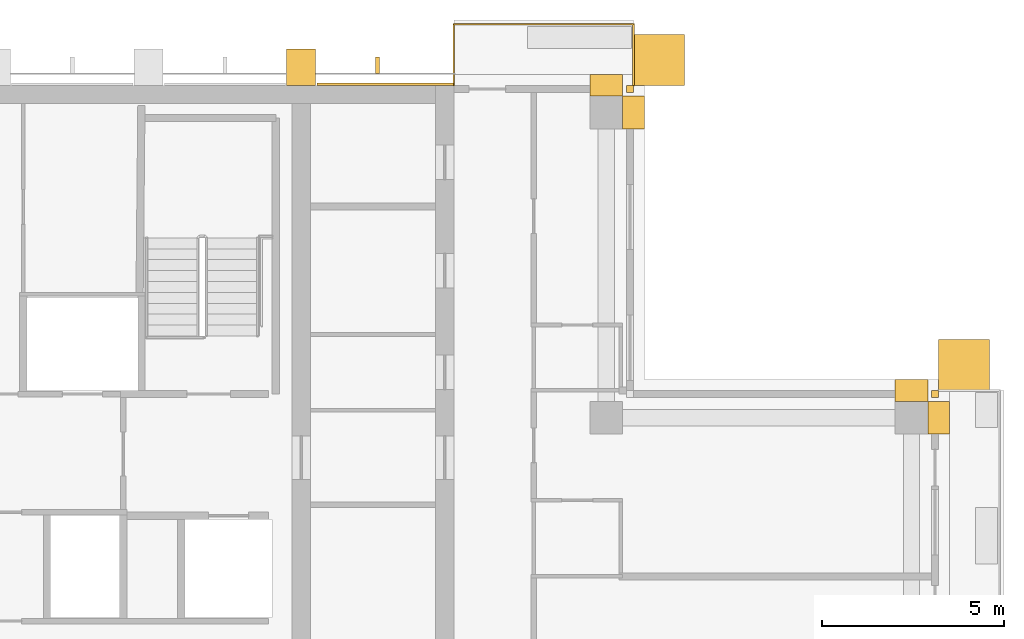
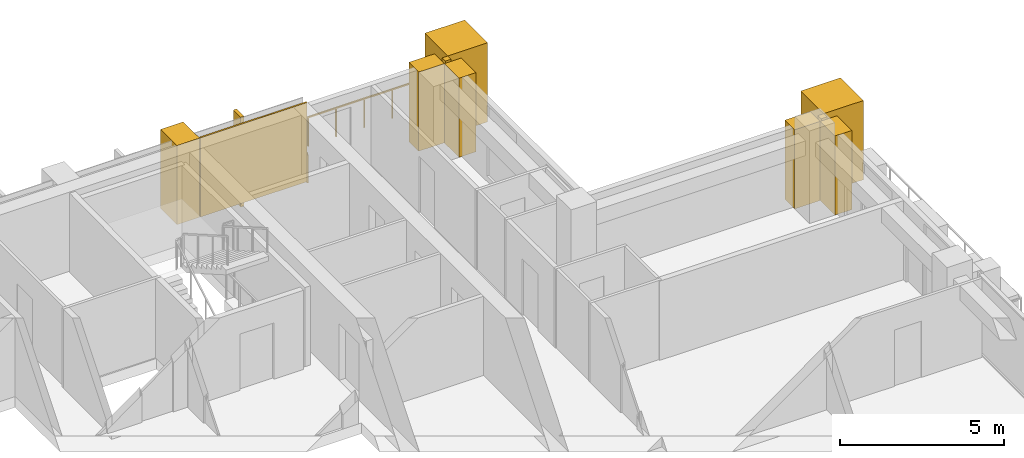
# One storey, part 18 of 18: 11 coverings, 1 railing.
"""IFC4 building model written with IfcOpenShell, lengths in metres."""

from ifc_helpers import new_model, si_unit, direction, frame, origin, origin_2d, place, context, subcontext, project, spatial, polyline, rectangle, outline, extrude, material, layer, layer_set, type_object, element, save


model = new_model("IFC4")

# Units and contexts
model_context = context("Model", 3, precision=1e-05, world=origin(), true_north=direction((0.0, 1.0)))
body_context = subcontext(model_context, "Body", "Model", "MODEL_VIEW")
ifc_project = project(units=[si_unit("LENGTHUNIT", "METRE"), si_unit("AREAUNIT", "SQUARE_METRE"), si_unit("VOLUMEUNIT", "CUBIC_METRE"), si_unit("PLANEANGLEUNIT", "RADIAN"), si_unit("MASSUNIT", "GRAM", prefix="KILO")], contexts=[model_context])

# Site, building, storey
site_placement = place(None, origin())
site = spatial("IfcSite", under=ifc_project, at=site_placement, CompositionType="ELEMENT")
building_placement = place(site_placement, origin())
building = spatial("IfcBuilding", under=site, at=building_placement, Name="Vermilion Ogive Tower", CompositionType="ELEMENT")
storey_placement = place(building_placement, frame((0.0, 0.0, 261.39990234375)))
storey = spatial("IfcBuildingStorey", under=building, at=storey_placement, Name="L69", CompositionType="ELEMENT", Elevation=261.39990234375)

# Railing
ifc_material_1 = material(Name="Stainless steel and glass", Category="steel")
railing_type = type_object("IfcRailingType", Name="Balcony guard", PredefinedType="GUARDRAIL", material=ifc_material_1)
railing_placement = place(storey_placement, frame((17.550048828125, 21.75, -0.039794921875)))
element("IfcRailing", 1, at=railing_placement, inside=storey, type_object=railing_type, Name="Guard N101", PredefinedType="GUARDRAIL", context=body_context, shape_type="SweptSolid", body=[
    extrude(rectangle(XDim=0.048095703125, YDim=0.048095703125, at=origin_2d()), frame((0.0, 0.0, 1.076171875), z_axis=(0.0, 1.0, 0.0), x_axis=(-1.0, 0.0, 0.0)), (0.0, 0.0, 1.0), 1.677978515625),
    extrude(rectangle(XDim=0.048095703125, YDim=0.048095703125, at=origin_2d()), frame((0.0, 1.677978515625, 1.076171875), z_axis=(-1.0, 0.0, 0.0), x_axis=(0.0, -1.0, 0.0)), (0.0, 0.0, 1.0), 4.949951171875),
    extrude(rectangle(XDim=0.048095703125, YDim=0.048095703125, at=origin_2d()), frame((-4.949951171875, 1.677978515625, 1.076171875), z_axis=(0.0, -1.0, 0.0), x_axis=(1.0, 0.0, 0.0)), (0.0, 0.0, 1.0), 1.677978515625),
    extrude(rectangle(XDim=0.0419921875, YDim=0.0419921875, at=origin_2d()), origin(), (0.0, 0.0, 1.0), 1.052001953125),
    extrude(rectangle(XDim=0.0419921875, YDim=0.0419921875, at=origin_2d()), frame((0.0, 0.8388671875, 0.0)), (0.0, 0.0, 1.0), 1.052001953125),
    extrude(rectangle(XDim=0.0419921875, YDim=0.0419921875, at=origin_2d()), frame((0.0, 1.677978515625, 0.0)), (0.0, 0.0, 1.0), 1.052001953125),
    extrude(rectangle(XDim=0.0419921875, YDim=0.0419921875, at=origin_2d()), frame((-0.989990234375, 1.677978515625, 0.0)), (0.0, 0.0, 1.0), 1.052001953125),
    extrude(rectangle(XDim=0.0419921875, YDim=0.0419921875, at=origin_2d()), frame((-1.97998046875, 1.677978515625, 0.0)), (0.0, 0.0, 1.0), 1.052001953125),
    extrude(rectangle(XDim=0.0419921875, YDim=0.0419921875, at=origin_2d()), frame((-2.969970703125, 1.677978515625, 0.0)), (0.0, 0.0, 1.0), 1.052001953125),
    extrude(rectangle(XDim=0.0419921875, YDim=0.0419921875, at=origin_2d()), frame((-3.9599609375, 1.677978515625, 0.0)), (0.0, 0.0, 1.0), 1.052001953125),
    extrude(rectangle(XDim=0.0419921875, YDim=0.0419921875, at=origin_2d()), frame((-4.949951171875, 1.677978515625, 0.0)), (0.0, 0.0, 1.0), 1.052001953125),
    extrude(rectangle(XDim=0.0419921875, YDim=0.0419921875, at=origin_2d()), frame((-4.949951171875, 0.8388671875, 0.0)), (0.0, 0.0, 1.0), 1.052001953125),
    extrude(rectangle(XDim=0.0419921875, YDim=0.0419921875, at=origin_2d()), frame((-4.949951171875, 0.0, 0.0)), (0.0, 0.0, 1.0), 1.052001953125),
])

# Coverings
ifc_material_2 = material(Name="Glazed ceramic screen")
ifc_layer = layer(ifc_material_2, 0.14990234375)
ifc_layer_set = layer_set([ifc_layer], Name="Ceramic solar screen fin")
covering_type_1 = type_object("IfcCoveringType", Name="Ceramic solar screen fin", PredefinedType="CLADDING", material=ifc_layer_set)
covering_1_placement = place(storey_placement, frame((0.0, 0.0, -0.39990234375)))
element("IfcCovering", 2, at=covering_1_placement, inside=storey, type_object=covering_type_1, Name="Solar screen blade N6", PredefinedType="CLADDING", context=body_context, shape_type="SweptSolid", body=[
    extrude(outline(polyline([(10.43994140625, 22.08203125), (10.56005859375, 22.08203125), (10.56005859375, 22.531982421875), (10.43994140625, 22.531982421875), (10.43994140625, 22.08203125)])), origin(), (0.0, 0.0, 1.0), 3.35009765625),
])
ifc_material_3 = material(Name="Stone cladding", Category="masonry")
covering_type_2 = type_object("IfcCoveringType", Name="Stone buttress pier", PredefinedType="CLADDING", material=ifc_material_3)
covering_2_placement = place(storey_placement, origin())
element("IfcCovering", 3, at=covering_2_placement, inside=storey, type_object=covering_type_2, Name="Stone buttress pier N5", PredefinedType="CLADDING", context=body_context, shape_type="SweptSolid", body=[
    extrude(outline(polyline([(8.0, 21.75), (8.800048828125, 21.75), (8.800048828125, 22.75), (8.0, 22.75), (8.0, 21.75)])), origin(), (0.0, 0.0, 1.0), 2.9501953125),
])
ifc_material_4 = material(Name="Stone cladding", Category="masonry")
covering_type_3 = type_object("IfcCoveringType", Name="Stone cladding panel", PredefinedType="CLADDING", material=ifc_material_4)
covering_3_placement = place(storey_placement, origin())
element("IfcCovering", 4, at=covering_3_placement, inside=storey, type_object=covering_type_3, Name="Stone cladding panel N6", PredefinedType="CLADDING", context=body_context, shape_type="SweptSolid", body=[
    extrude(outline(polyline([(8.830078125, 21.75), (12.590087890625, 21.75), (12.590087890625, 21.81005859375), (8.830078125, 21.81005859375), (8.830078125, 21.75)])), origin(), (0.0, 0.0, 1.0), 2.9501953125),
])
ifc_material_5 = material(Name="Stone cladding", Category="masonry")
covering_type_4 = type_object("IfcCoveringType", Name="Stone corner buttress", PredefinedType="CLADDING", material=ifc_material_5)
covering_4_placement = place(storey_placement, origin())
element("IfcCovering", 5, at=covering_4_placement, inside=storey, type_object=covering_type_4, Name="Stone corner buttress X31", PredefinedType="CLADDING", context=body_context, shape_type="SweptSolid", body=[
    extrude(outline(polyline([(25.949951171875, 14.75), (27.35009765625, 14.75), (27.35009765625, 13.35009765625), (26.25, 13.35009765625), (25.949951171875, 13.35009765625), (25.949951171875, 14.75)])), origin(), (0.0, 0.0, 1.0), 2.9501953125),
])
covering_5_placement = place(storey_placement, origin())
element("IfcCovering", 6, at=covering_5_placement, inside=storey, type_object=covering_type_4, Name="Stone corner buttress N11", PredefinedType="CLADDING", context=body_context, shape_type="SweptSolid", body=[
    extrude(outline(polyline([(18.949951171875, 21.75), (17.550048828125, 21.75), (17.550048828125, 22.050048828125), (17.550048828125, 23.14990234375), (18.949951171875, 23.14990234375), (18.949951171875, 21.75)])), origin(), (0.0, 0.0, 1.0), 2.9501953125),
])
ifc_material_6 = material(Name="Stone cladding", Category="masonry")
covering_type_5 = type_object("IfcCoveringType", Name="Stone pier", PredefinedType="CLADDING", material=ifc_material_6)
covering_6_placement = place(storey_placement, origin())
element("IfcCovering", 7, at=covering_6_placement, inside=storey, type_object=covering_type_5, Name="Stone pier P+0168+210X4", PredefinedType="CLADDING", context=body_context, shape_type="SweptSolid", body=[
    extrude(outline(polyline([(17.85009765625, 21.449951171875), (17.85009765625, 20.550048828125), (17.25, 20.550048828125), (17.25, 21.449951171875), (17.85009765625, 21.449951171875)])), origin(), (0.0, 0.0, 1.0), 2.9501953125),
])
covering_7_placement = place(storey_placement, origin())
element("IfcCovering", 8, at=covering_7_placement, inside=storey, type_object=covering_type_5, Name="Stone pier P+0168+210N1", PredefinedType="CLADDING", context=body_context, shape_type="SweptSolid", body=[
    extrude(outline(polyline([(17.25, 22.050048828125), (17.25, 21.449951171875), (16.35009765625, 21.449951171875), (16.35009765625, 22.050048828125), (17.25, 22.050048828125)])), origin(), (0.0, 0.0, 1.0), 2.9501953125),
])
covering_8_placement = place(storey_placement, origin())
element("IfcCovering", 9, at=covering_8_placement, inside=storey, type_object=covering_type_5, Name="Stone pier P+0252+126E", PredefinedType="CLADDING", context=body_context, shape_type="SweptSolid", body=[
    extrude(outline(polyline([(26.25, 13.050048828125), (26.25, 12.14990234375), (25.64990234375, 12.14990234375), (25.64990234375, 13.050048828125), (26.25, 13.050048828125)])), origin(), (0.0, 0.0, 1.0), 2.9501953125),
])
covering_9_placement = place(storey_placement, origin())
element("IfcCovering", 10, at=covering_9_placement, inside=storey, type_object=covering_type_5, Name="Stone pier P+0252+126X3", PredefinedType="CLADDING", context=body_context, shape_type="SweptSolid", body=[
    extrude(outline(polyline([(25.64990234375, 13.64990234375), (25.64990234375, 13.050048828125), (24.75, 13.050048828125), (24.75, 13.64990234375), (25.64990234375, 13.64990234375)])), origin(), (0.0, 0.0, 1.0), 2.9501953125),
])
covering_10_placement = place(storey_placement, origin())
element("IfcCovering", 11, at=covering_10_placement, inside=storey, type_object=covering_type_5, Name="Stone corner pier EE1", PredefinedType="CLADDING", context=body_context, shape_type="SweptSolid", body=[
    extrude(outline(polyline([(25.75, 13.14990234375), (25.75, 13.35009765625), (25.949951171875, 13.35009765625), (25.949951171875, 13.14990234375), (25.75, 13.14990234375)])), origin(), (0.0, 0.0, 1.0), 2.9501953125),
])
covering_11_placement = place(storey_placement, origin())
element("IfcCovering", 12, at=covering_11_placement, inside=storey, type_object=covering_type_5, Name="Stone corner pier X4E1", PredefinedType="CLADDING", context=body_context, shape_type="SweptSolid", body=[
    extrude(outline(polyline([(17.35009765625, 21.550048828125), (17.35009765625, 21.75), (17.550048828125, 21.75), (17.550048828125, 21.550048828125), (17.35009765625, 21.550048828125)])), origin(), (0.0, 0.0, 1.0), 2.9501953125),
])

save(model, "model.ifc")
